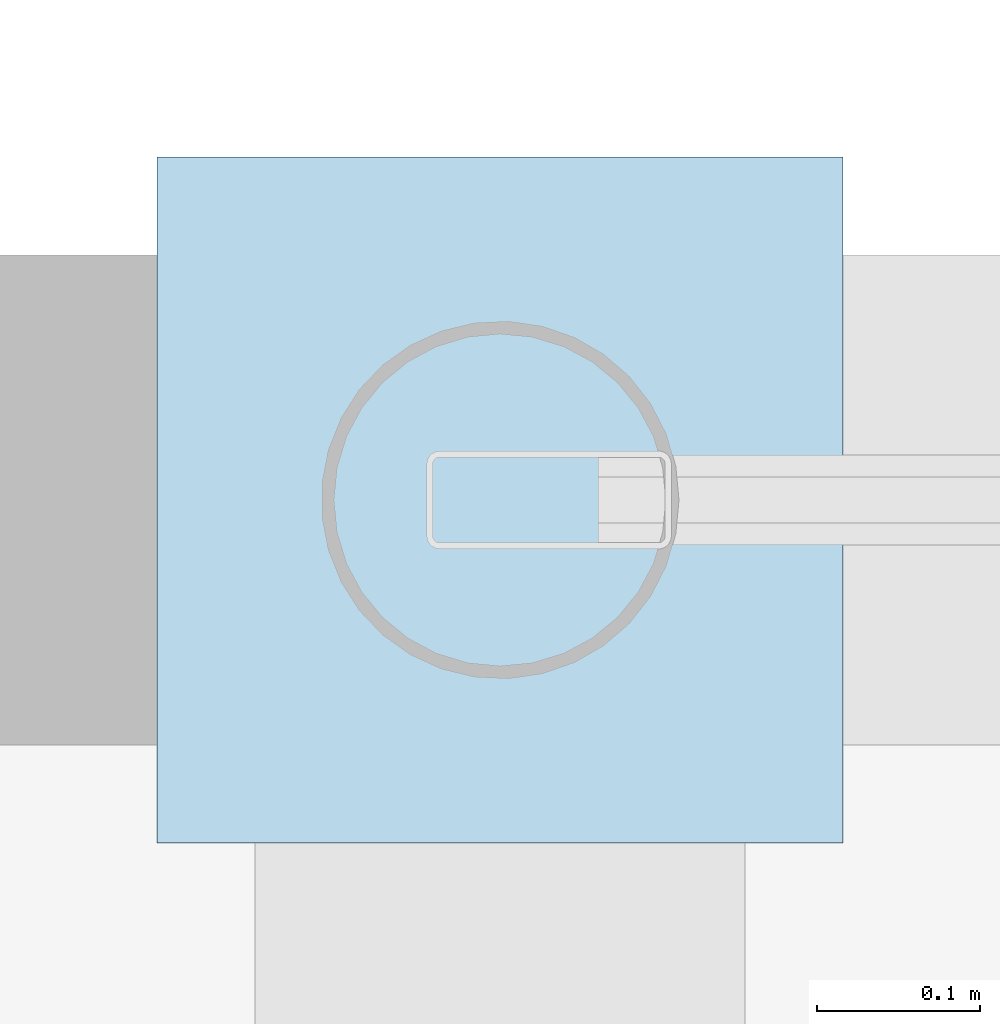
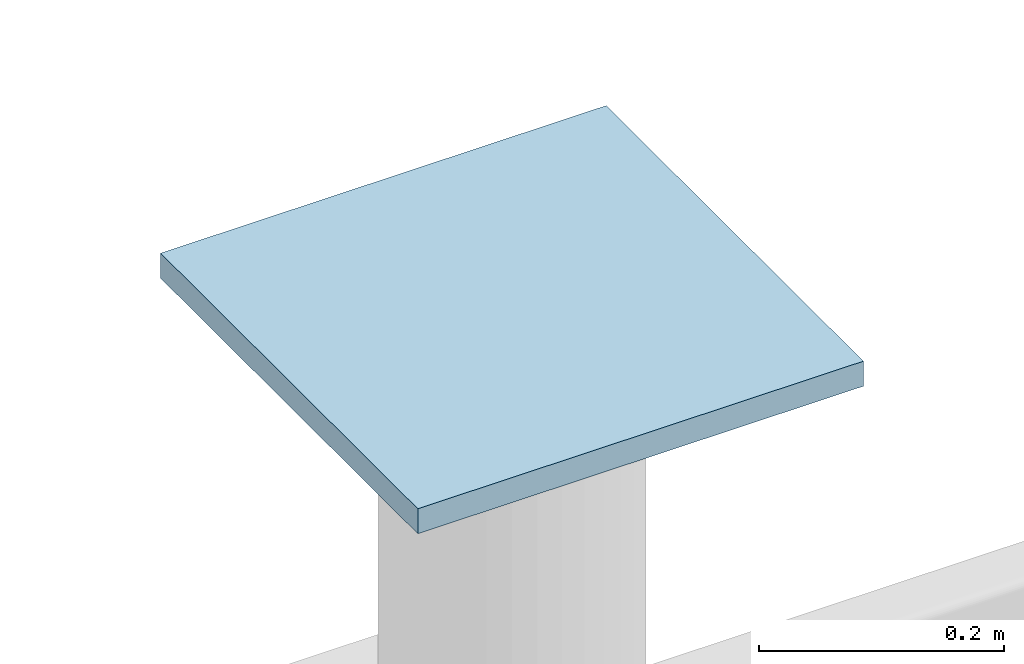
# One storey, part 130 of 163: 1 plate.
"""IFC4 building model written with IfcOpenShell, lengths in metres."""

from ifc_helpers import new_model, si_unit, direction, frame, origin, origin_2d, place, context, subcontext, project, spatial, rectangle, extrude, material, layer, layer_set, type_object, element, save


model = new_model("IFC4")

# Units and contexts
model_context = context("Model", 3, precision=1e-05, world=origin(), true_north=direction((0.0, 1.0)))
body_context = subcontext(model_context, "Body", "Model", "MODEL_VIEW")
ifc_project = project(units=[si_unit("LENGTHUNIT", "METRE"), si_unit("AREAUNIT", "SQUARE_METRE"), si_unit("VOLUMEUNIT", "CUBIC_METRE"), si_unit("PLANEANGLEUNIT", "RADIAN"), si_unit("MASSUNIT", "GRAM", prefix="KILO")], contexts=[model_context])

# Site, building, storey
site_placement = place(None, origin())
site = spatial("IfcSite", under=ifc_project, at=site_placement, CompositionType="ELEMENT")
building_placement = place(site_placement, origin())
building = spatial("IfcBuilding", under=site, at=building_placement, Name="Qalvenar Corner Mobility Hub", CompositionType="ELEMENT")
storey_placement = place(building_placement, frame((0.0, 0.0, 4.800048828125)))
storey = spatial("IfcBuildingStorey", under=building, at=storey_placement, Name="L01", CompositionType="ELEMENT", Elevation=4.800048828125)

# Plate
ifc_material = material(Name="Steel S355", Category="steel")
ifc_layer = layer(ifc_material, 0.02490234375)
ifc_layer_set = layer_set([ifc_layer], Name="Steel S355")
plate_type = type_object("IfcPlateType", Name="PLT-CAP25", PredefinedType="SHEET", material=ifc_layer_set)
plate_placement = place(storey_placement, frame((142.800048828125, 50.39990234375, 3.9580078125), z_axis=(0.0, 0.0, 1.0), x_axis=(1.0, 0.0, 0.0)))
element("IfcPlate", 1, at=plate_placement, inside=storey, type_object=plate_type, Name="Hollow Column Top Cap Plate L01-G18-6", PredefinedType="SHEET", context=body_context, shape_type="SweptSolid", body=[
    extrude(rectangle(XDim=0.419921875, YDim=0.419921875, at=origin_2d()), origin(), (0.0, 0.0, 1.0), 0.02490234375),
])

save(model, "model.ifc")
